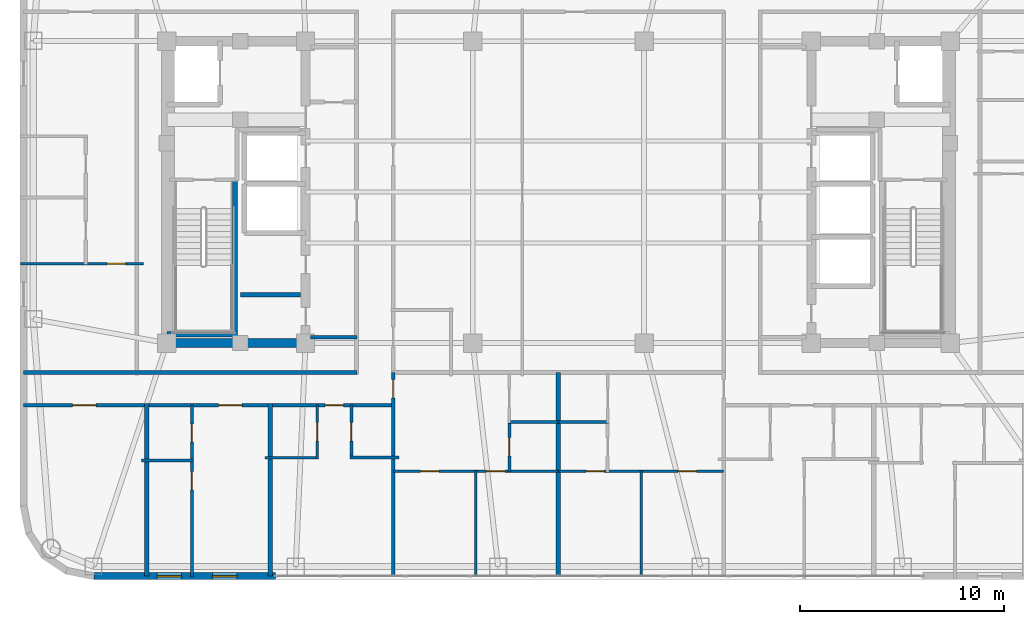
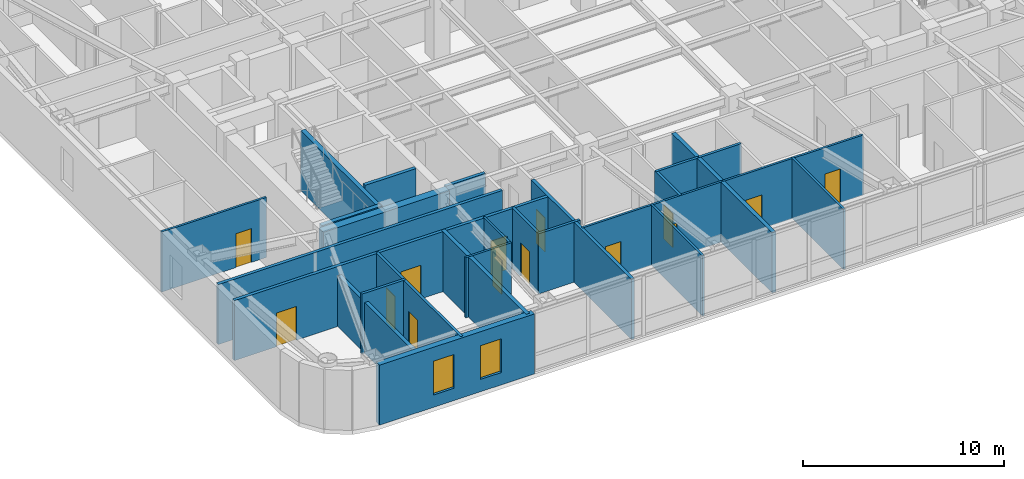
# One storey, part 8 of 17: 27 walls, 14 doors, 2 windows, 16 openings.
"""IFC4 building model written with IfcOpenShell, lengths in metres."""

from ifc_helpers import new_model, si_unit, direction, frame, frame_2d, origin, place, context, subcontext, project, spatial, rectangle, extrude, material, layer, layer_set, type_object, element, fill, save


model = new_model("IFC4")

# Units and contexts
model_context = context("Model", 3, precision=1e-05, world=origin(), true_north=direction((0.0, 1.0)))
body_context = subcontext(model_context, "Body", "Model", "MODEL_VIEW")
ifc_project = project(units=[si_unit("LENGTHUNIT", "METRE"), si_unit("AREAUNIT", "SQUARE_METRE"), si_unit("VOLUMEUNIT", "CUBIC_METRE"), si_unit("PLANEANGLEUNIT", "RADIAN"), si_unit("MASSUNIT", "GRAM", prefix="KILO")], contexts=[model_context])

# Site, building, storey
site_placement = place(None, origin())
site = spatial("IfcSite", under=ifc_project, at=site_placement, CompositionType="ELEMENT")
building_placement = place(site_placement, origin())
building = spatial("IfcBuilding", under=site, at=building_placement, Name="Voryun Gate Residences", CompositionType="ELEMENT")
storey_placement = place(building_placement, frame((0.0, 0.0, 204.10009765625)))
storey = spatial("IfcBuildingStorey", under=building, at=storey_placement, Name="L50", CompositionType="ELEMENT", Elevation=204.10009765625)

# Walls
ifc_material_1 = material(Name="Concrete C50/60", Category="concrete")
ifc_layer_1 = layer(ifc_material_1, 0.449951171875, Name="CW_CORE_450")
ifc_layer_set_1 = layer_set([ifc_layer_1], Name="Concrete C50/60")
wall_type_1 = type_object("IfcWallType", Name="CW_CORE_450", PredefinedType="SHEAR", material=ifc_layer_set_1)
wall_1_placement = place(storey_placement, frame((-19.425048828125, -7.39990234375, 0.0), z_axis=(0.0, 0.0, 1.0), x_axis=(1.0, 0.0, 0.0)))
element("IfcWall", 1, at=wall_1_placement, inside=storey, type_object=wall_type_1, Name="L50 Core shear wall CW-L50-WS", PredefinedType="SHEAR", context=body_context, shape_type="SweptSolid", body=[
    extrude(rectangle(XDim=7.25, YDim=0.449951171875, at=frame_2d((3.625, 0.0))), origin(), (0.0, 0.0, 1.0), 3.64990234375),
])
ifc_material_2 = material(Name="Gypsum acoustic fireboard")
ifc_layer_2 = layer(ifc_material_2, 0.179931640625, Name="W_CORR_RATED_180")
ifc_layer_set_2 = layer_set([ifc_layer_2], Name="Gypsum acoustic fireboard")
wall_type_2 = type_object("IfcWallType", Name="W_CORR_RATED_180", PredefinedType="PARTITIONING", material=ifc_layer_set_2)
wall_2_placement = place(storey_placement, frame((-12.14990234375, -7.1201171875, 0.0), z_axis=(0.0, 0.0, 1.0), x_axis=(1.0, 0.0, 0.0)))
element("IfcWall", 2, at=wall_2_placement, inside=storey, type_object=wall_type_2, Name="Partition wall WP-L50-PLBS-W", PredefinedType="PARTITIONING", context=body_context, shape_type="SweptSolid", body=[
    extrude(rectangle(XDim=2.27001953125, YDim=0.179931640625, at=frame_2d((1.135009765625, 0.0))), origin(), (0.0, 0.0, 1.0), 3.64990234375),
])
wall_3_placement = place(storey_placement, frame((-26.22998046875, -8.840087890625, 0.0), z_axis=(0.0, 0.0, 1.0), x_axis=(1.0, 0.0, 0.0)))
element("IfcWall", 3, at=wall_3_placement, inside=storey, type_object=wall_type_2, Name="Partition wall WP-L50-CWING-WS", PredefinedType="PARTITIONING", context=body_context, shape_type="SweptSolid", body=[
    extrude(rectangle(XDim=16.35009765625, YDim=0.179931640625, at=frame_2d((8.175048828125, 0.0))), origin(), (0.0, 0.0, 1.0), 3.64990234375),
])

# Wall, openings, doors
wall_4_placement = place(storey_placement, frame((-26.22998046875, -10.449951171875, 0.0), z_axis=(0.0, 0.0, 1.0), x_axis=(1.0, 0.0, 0.0)))
wall_4 = element("IfcWall", 4, at=wall_4_placement, inside=storey, type_object=wall_type_2, Name="Partition wall WP-L50-SCORR-W", PredefinedType="PARTITIONING", context=body_context, shape_type="SweptSolid", body=[
    extrude(rectangle(XDim=18.14990234375, YDim=0.179931640625, at=frame_2d((9.074951171875, 0.0))), origin(), (0.0, 0.0, 1.0), 3.64990234375),
])
opening_1_placement = place(wall_4_placement, frame((2.414306640625, 0.0, 0.0)))
opening_1 = element("IfcOpeningElement", 5, at=opening_1_placement, cuts=wall_4, Name="Opening D-UNIT-1", PredefinedType="OPENING", context=body_context, shape_type="SweptSolid", body=[
    extrude(rectangle(XDim=1.14990234375, YDim=2.050048828125, at=frame_2d((0.574951171875, 1.02490234375))), frame((0.0, 0.099853515625, 0.0), z_axis=(0.0, -1.0, 0.0), x_axis=(1.0, 0.0, 0.0)), (0.0, 0.0, 1.0), 0.199951171875),
])
opening_2_placement = place(wall_4_placement, frame((9.57080078125, 0.0, 0.0)))
opening_2 = element("IfcOpeningElement", 6, at=opening_2_placement, cuts=wall_4, Name="Opening D-UNIT-1", PredefinedType="OPENING", context=body_context, shape_type="SweptSolid", body=[
    extrude(rectangle(XDim=1.14990234375, YDim=2.050048828125, at=frame_2d((0.574951171875, 1.02490234375))), frame((0.0, 0.099853515625, 0.0), z_axis=(0.0, -1.0, 0.0), x_axis=(1.0, 0.0, 0.0)), (0.0, 0.0, 1.0), 0.199951171875),
])
opening_3_placement = place(wall_4_placement, frame((14.79248046875, 0.0, 0.0)))
opening_3 = element("IfcOpeningElement", 7, at=opening_3_placement, cuts=wall_4, Name="Opening D-INT-2", PredefinedType="OPENING", context=body_context, shape_type="SweptSolid", body=[
    extrude(rectangle(XDim=0.89990234375, YDim=2.050048828125, at=frame_2d((0.449951171875, 1.02490234375))), frame((0.0, 0.099853515625, 0.0), z_axis=(0.0, -1.0, 0.0), x_axis=(1.0, 0.0, 0.0)), (0.0, 0.0, 1.0), 0.199951171875),
])
ifc_material_3 = material(Name="Architectural oak veneer")
door_type_1 = type_object("IfcDoorType", Name="DR_INT_BATH_900", OperationType="NOTDEFINED", PredefinedType="DOOR", material=ifc_material_3)
door_1_placement = place(opening_3_placement, origin())
door_1 = element("IfcDoor", 8, at=door_1_placement, inside=storey, type_object=door_type_1, Name="Door DR-L50-SENT-3", OperationType="SINGLE_SWING_RIGHT", OverallHeight=2.050048828125, OverallWidth=0.89990234375, PredefinedType="DOOR", context=body_context, shape_type="SweptSolid", body=[
    extrude(rectangle(XDim=0.89990234375, YDim=2.050048828125, at=frame_2d((0.449951171875, 1.02490234375))), frame((0.0, 0.02490234375, 0.0), z_axis=(0.0, -1.0, 0.0), x_axis=(1.0, 0.0, 0.0)), (0.0, 0.0, 1.0), 0.050048828125),
])
fill(opening_3, door_1)
ifc_material_4 = material(Name="Armoured timber-clad fire door", Category="wood")
door_type_2 = type_object("IfcDoorType", Name="DR_UNIT_ENTRY_1150", OperationType="NOTDEFINED", PredefinedType="DOOR", material=ifc_material_4)
door_2_placement = place(opening_1_placement, origin())
door_2 = element("IfcDoor", 9, at=door_2_placement, inside=storey, type_object=door_type_2, Name="Door DR-L50-SENT-1", OperationType="SINGLE_SWING_RIGHT", OverallHeight=2.050048828125, OverallWidth=1.14990234375, PredefinedType="DOOR", context=body_context, shape_type="SweptSolid", body=[
    extrude(rectangle(XDim=1.14990234375, YDim=2.050048828125, at=frame_2d((0.574951171875, 1.02490234375))), frame((0.0, 0.02490234375, 0.0), z_axis=(0.0, -1.0, 0.0), x_axis=(1.0, 0.0, 0.0)), (0.0, 0.0, 1.0), 0.050048828125),
])
fill(opening_1, door_2)
door_3_placement = place(opening_2_placement, origin())
door_3 = element("IfcDoor", 10, at=door_3_placement, inside=storey, type_object=door_type_2, Name="Door DR-L50-SENT-2", OperationType="SINGLE_SWING_LEFT", OverallHeight=2.050048828125, OverallWidth=1.14990234375, PredefinedType="DOOR", context=body_context, shape_type="SweptSolid", body=[
    extrude(rectangle(XDim=1.14990234375, YDim=2.050048828125, at=frame_2d((0.574951171875, 1.02490234375))), frame((0.0, 0.02490234375, 0.0), z_axis=(0.0, -1.0, 0.0), x_axis=(1.0, 0.0, 0.0)), (0.0, 0.0, 1.0), 0.050048828125),
])
fill(opening_2, door_3)

# Wall, opening, door
wall_5_placement = place(storey_placement, frame((-8.10009765625, -18.830078125, 0.0), z_axis=(0.0, 0.0, 1.0), x_axis=(0.0, 1.0, 0.0)))
wall_5 = element("IfcWall", 11, at=wall_5_placement, inside=storey, type_object=wall_type_2, Name="Partition wall WP-L50-SZV-1", PredefinedType="PARTITIONING", context=body_context, shape_type="SweptSolid", body=[
    extrude(rectangle(XDim=9.989990234375, YDim=0.179931640625, at=frame_2d((4.9951171875, 0.0))), origin(), (0.0, 0.0, 1.0), 3.64990234375),
])
opening_4_placement = place(wall_5_placement, frame((8.73974609375, 0.0, 0.0)))
opening_4 = element("IfcOpeningElement", 12, at=opening_4_placement, cuts=wall_5, Name="Opening D-INT-2", PredefinedType="OPENING", context=body_context, shape_type="SweptSolid", body=[
    extrude(rectangle(XDim=0.89990234375, YDim=2.050048828125, at=frame_2d((0.449951171875, 1.02490234375))), frame((0.0, 0.099853515625, 0.0), z_axis=(0.0, -1.0, 0.0), x_axis=(1.0, 0.0, 0.0)), (0.0, 0.0, 1.0), 0.199951171875),
])
door_4_placement = place(opening_4_placement, origin())
door_4 = element("IfcDoor", 13, at=door_4_placement, inside=storey, type_object=door_type_1, Name="Door DR-L50-SZENT-1", OperationType="SINGLE_SWING_LEFT", OverallHeight=2.050048828125, OverallWidth=0.89990234375, PredefinedType="DOOR", context=body_context, shape_type="SweptSolid", body=[
    extrude(rectangle(XDim=0.89990234375, YDim=2.050048828125, at=frame_2d((0.449951171875, 1.02490234375))), frame((0.0, 0.02490234375, 0.0), z_axis=(0.0, -1.0, 0.0), x_axis=(1.0, 0.0, 0.0)), (0.0, 0.0, 1.0), 0.050048828125),
])
fill(opening_4, door_4)

# Wall, openings, windows
ifc_material_5 = material(Name="Charcoal terracotta masonry", Category="masonry")
ifc_layer_3 = layer(ifc_material_5, 0.340087890625, Name="W_EXT_TERRACOTTA_340")
ifc_layer_set_3 = layer_set([ifc_layer_3], Name="Charcoal terracotta masonry")
wall_type_3 = type_object("IfcWallType", Name="W_EXT_TERRACOTTA_340", PredefinedType="ELEMENTEDWALL", material=ifc_layer_set_3)
wall_6_placement = place(storey_placement, frame((-13.861328125, -18.830078125, 0.0), z_axis=(0.0, 0.0, 1.0), x_axis=(-1.0, 0.0, 0.0)))
wall_6 = element("IfcWall", 14, at=wall_6_placement, inside=storey, type_object=wall_type_3, Name="Exterior wall WEXT-L50-01B", PredefinedType="ELEMENTEDWALL", context=body_context, shape_type="SweptSolid", body=[
    extrude(rectangle(XDim=8.921875, YDim=0.340087890625, at=frame_2d((4.4609375, 0.0))), origin(), (0.0, 0.0, 1.0), 3.64990234375),
])
opening_5_placement = place(wall_6_placement, frame((1.90185546875, 0.0, 0.75)))
opening_5 = element("IfcOpeningElement", 15, at=opening_5_placement, cuts=wall_6, Name="Opening WN6", PredefinedType="OPENING", context=body_context, shape_type="SweptSolid", body=[
    extrude(rectangle(XDim=1.199951171875, YDim=2.050048828125, at=frame_2d((0.60009765625, 1.02490234375))), frame((0.0, 0.179931640625, 0.0), z_axis=(0.0, -1.0, 0.0), x_axis=(1.0, 0.0, 0.0)), (0.0, 0.0, 1.0), 0.360107421875),
])
opening_6_placement = place(wall_6_placement, frame((4.61865234375, 0.0, 0.75)))
opening_6 = element("IfcOpeningElement", 16, at=opening_6_placement, cuts=wall_6, Name="Opening WN6", PredefinedType="OPENING", context=body_context, shape_type="SweptSolid", body=[
    extrude(rectangle(XDim=1.199951171875, YDim=2.050048828125, at=frame_2d((0.60009765625, 1.02490234375))), frame((0.0, 0.179931640625, 0.0), z_axis=(0.0, -1.0, 0.0), x_axis=(1.0, 0.0, 0.0)), (0.0, 0.0, 1.0), 0.360107421875),
])
ifc_material_6 = material(Name="Laminated low-E glass", Category="glass")
window_type = type_object("IfcWindowType", Name="WN_POD_SLOT_1200", PartitioningType="SINGLE_PANEL", PredefinedType="WINDOW", material=ifc_material_6)
window_1_placement = place(opening_5_placement, origin())
window_1 = element("IfcWindow", 17, at=window_1_placement, inside=storey, type_object=window_type, Name="Window WN-L50-DWFIX-15", OverallHeight=2.050048828125, OverallWidth=1.199951171875, PartitioningType="SINGLE_PANEL", PredefinedType="WINDOW", context=body_context, shape_type="SweptSolid", body=[
    extrude(rectangle(XDim=1.199951171875, YDim=2.050048828125, at=frame_2d((0.60009765625, 1.02490234375))), frame((0.0, 0.030029296875, 0.0), z_axis=(0.0, -1.0, 0.0), x_axis=(1.0, 0.0, 0.0)), (0.0, 0.0, 1.0), 0.06005859375),
])
fill(opening_5, window_1)
window_2_placement = place(opening_6_placement, origin())
window_2 = element("IfcWindow", 18, at=window_2_placement, inside=storey, type_object=window_type, Name="Window WN-L50-DWFIX-16", OverallHeight=2.050048828125, OverallWidth=1.199951171875, PartitioningType="SINGLE_PANEL", PredefinedType="WINDOW", context=body_context, shape_type="SweptSolid", body=[
    extrude(rectangle(XDim=1.199951171875, YDim=2.050048828125, at=frame_2d((0.60009765625, 1.02490234375))), frame((0.0, 0.030029296875, 0.0), z_axis=(0.0, -1.0, 0.0), x_axis=(1.0, 0.0, 0.0)), (0.0, 0.0, 1.0), 0.06005859375),
])
fill(opening_6, window_2)

# Walls
ifc_material_7 = material(Name="Concrete C40/50", Category="concrete")
ifc_layer_4 = layer(ifc_material_7, 0.199951171875, Name="W_FF_LOBBY_200")
ifc_layer_set_4 = layer_set([ifc_layer_4], Name="Concrete C40/50")
wall_type_4 = type_object("IfcWallType", Name="W_FF_LOBBY_200", PredefinedType="PARTITIONING", material=ifc_layer_set_4)
wall_7_placement = place(storey_placement, frame((-15.60009765625, -5.030029296875, 0.0), z_axis=(0.0, 0.0, 1.0), x_axis=(1.0, 0.0, 0.0)))
element("IfcWall", 19, at=wall_7_placement, inside=storey, type_object=wall_type_4, Name="Partition wall WP-L50-RECWB", PredefinedType="PARTITIONING", context=body_context, shape_type="SweptSolid", body=[
    extrude(rectangle(XDim=2.940185546875, YDim=0.199951171875, at=frame_2d((1.47021484375, 0.0))), origin(), (0.0, 0.0, 1.0), 3.64990234375),
])
ifc_material_8 = material(Name="Concrete C40/50", Category="concrete")
ifc_layer_5 = layer(ifc_material_8, 0.219970703125, Name="W_PARTY_ACOUSTIC_220")
ifc_layer_set_5 = layer_set([ifc_layer_5], Name="Concrete C40/50")
wall_type_5 = type_object("IfcWallType", Name="W_PARTY_ACOUSTIC_220", PredefinedType="PARTITIONING", material=ifc_layer_set_5)
wall_8_placement = place(storey_placement, frame((-20.18505859375, -18.830078125, 0.0), z_axis=(0.0, 0.0, 1.0), x_axis=(0.0, 1.0, 0.0)))
element("IfcWall", 20, at=wall_8_placement, inside=storey, type_object=wall_type_5, Name="Partition wall WP-L50-SPTY-1", PredefinedType="PARTITIONING", context=body_context, shape_type="SweptSolid", body=[
    extrude(rectangle(XDim=8.4599609375, YDim=0.219970703125, at=frame_2d((4.22998046875, 0.0))), origin(), (0.0, 0.0, 1.0), 3.08984375),
])
wall_9_placement = place(storey_placement, frame((-14.132080078125, -18.830078125, 0.0), z_axis=(0.0, 0.0, 1.0), x_axis=(0.0, 1.0, 0.0)))
element("IfcWall", 21, at=wall_9_placement, inside=storey, type_object=wall_type_5, Name="Partition wall WP-L50-SPTY-2", PredefinedType="PARTITIONING", context=body_context, shape_type="SweptSolid", body=[
    extrude(rectangle(XDim=8.4599609375, YDim=0.219970703125, at=frame_2d((4.22998046875, 0.0))), origin(), (0.0, 0.0, 1.0), 3.64990234375),
])
wall_10_placement = place(storey_placement, frame((0.0, -18.830078125, 0.0), z_axis=(0.0, 0.0, 1.0), x_axis=(0.0, 1.0, 0.0)))
element("IfcWall", 22, at=wall_10_placement, inside=storey, type_object=wall_type_5, Name="Partition wall WP-L50-SZMID", PredefinedType="PARTITIONING", context=body_context, shape_type="SweptSolid", body=[
    extrude(rectangle(XDim=9.989990234375, YDim=0.219970703125, at=frame_2d((4.9951171875, 0.0))), origin(), (0.0, 0.0, 1.0), 3.64990234375),
])
ifc_material_9 = material(Name="Concrete C50/60", Category="concrete")
ifc_layer_6 = layer(ifc_material_9, 0.25, Name="W_SHAFT_RC250")
ifc_layer_set_6 = layer_set([ifc_layer_6], Name="Concrete C50/60")
wall_type_6 = type_object("IfcWallType", Name="W_SHAFT_RC250", PredefinedType="SOLIDWALL", material=ifc_layer_set_6)
wall_11_placement = place(storey_placement, frame((-15.860107421875, -7.0849609375, 0.0), z_axis=(0.0, 0.0, 1.0), x_axis=(0.0, 1.0, 0.0)))
element("IfcWall", 23, at=wall_11_placement, inside=storey, type_object=wall_type_6, Name="L50 Stair shaft structural wall W-STR", PredefinedType="SOLIDWALL", context=body_context, shape_type="SweptSolid", body=[
    extrude(rectangle(XDim=7.68505859375, YDim=0.25, at=frame_2d((3.842529296875, 0.0))), origin(), (0.0, 0.0, 1.0), 3.64990234375),
])
wall_12_placement = place(storey_placement, frame((-19.199951171875, -6.965087890625, 0.0), z_axis=(0.0, 0.0, 1.0), x_axis=(1.0, 0.0, 0.0)))
element("IfcWall", 24, at=wall_12_placement, inside=storey, type_object=wall_type_6, Name="L50 Stair shaft structural wall W-STS", PredefinedType="SOLIDWALL", context=body_context, shape_type="SweptSolid", body=[
    extrude(rectangle(XDim=3.4599609375, YDim=0.25, at=frame_2d((1.72998046875, 0.0))), origin(), (0.0, 0.0, 1.0), 3.64990234375),
])

# Wall, opening, door
ifc_material_10 = material(Name="Gypsum acoustic partition")
ifc_layer_7 = layer(ifc_material_10, 0.125, Name="W_UNIT_PART_125")
ifc_layer_set_7 = layer_set([ifc_layer_7], Name="Gypsum acoustic partition")
wall_type_7 = type_object("IfcWallType", Name="W_UNIT_PART_125", PredefinedType="PARTITIONING", material=ifc_layer_set_7)
wall_13_placement = place(storey_placement, frame((-11.818115234375, -13.080078125, 0.0), z_axis=(0.0, 0.0, 1.0), x_axis=(0.0, 1.0, 0.0)))
wall_13 = element("IfcWall", 25, at=wall_13_placement, inside=storey, type_object=wall_type_7, Name="Partition wall WP-L50-S3-CVK", PredefinedType="PARTITIONING", context=body_context, shape_type="SweptSolid", body=[
    extrude(rectangle(XDim=2.650146484375, YDim=0.125, at=frame_2d((1.3251953125, 0.0))), origin(), (0.0, 0.0, 1.0), 3.64990234375),
])
opening_7_placement = place(wall_13_placement, frame((0.875, 0.0, 0.0)))
opening_7 = element("IfcOpeningElement", 26, at=opening_7_placement, cuts=wall_13, Name="Opening D-INT-2", PredefinedType="OPENING", context=body_context, shape_type="SweptSolid", body=[
    extrude(rectangle(XDim=0.89990234375, YDim=2.050048828125, at=frame_2d((0.449951171875, 1.02490234375))), frame((0.0, 0.072509765625, 0.0), z_axis=(0.0, -1.0, 0.0), x_axis=(1.0, 0.0, 0.0)), (0.0, 0.0, 1.0), 0.14501953125),
])
door_5_placement = place(opening_7_placement, origin())
door_5 = element("IfcDoor", 27, at=door_5_placement, inside=storey, type_object=door_type_1, Name="Door DR-L50-S3-DK", OperationType="SINGLE_SWING_LEFT", OverallHeight=2.050048828125, OverallWidth=0.89990234375, PredefinedType="DOOR", context=body_context, shape_type="SweptSolid", body=[
    extrude(rectangle(XDim=0.89990234375, YDim=2.050048828125, at=frame_2d((0.449951171875, 1.02490234375))), frame((0.0, 0.02490234375, 0.0), z_axis=(0.0, -1.0, 0.0), x_axis=(1.0, 0.0, 0.0)), (0.0, 0.0, 1.0), 0.050048828125),
])
fill(opening_7, door_5)

# Wall
wall_14_placement = place(storey_placement, frame((-14.39208984375, -13.02001953125, 0.0), z_axis=(0.0, 0.0, 1.0), x_axis=(1.0, 0.0, 0.0)))
element("IfcWall", 28, at=wall_14_placement, inside=storey, type_object=wall_type_7, Name="Partition wall WP-L50-S3-CHK", PredefinedType="PARTITIONING", context=body_context, shape_type="SweptSolid", body=[
    extrude(rectangle(XDim=2.634033203125, YDim=0.125, at=frame_2d((1.31689453125, 0.0))), origin(), (0.0, 0.0, 1.0), 3.64990234375),
])

# Wall, openings, doors
wall_15_placement = place(storey_placement, frame((-8.080078125, -13.679931640625, 0.0), z_axis=(0.0, 0.0, 1.0), x_axis=(1.0, 0.0, 0.0)))
wall_15 = element("IfcWall", 29, at=wall_15_placement, inside=storey, type_object=wall_type_7, Name="Partition wall WP-L50-SC1-HZ", PredefinedType="PARTITIONING", context=body_context, shape_type="SweptSolid", body=[
    extrude(rectangle(XDim=8.06005859375, YDim=0.125, at=frame_2d((4.030029296875, 0.0))), origin(), (0.0, 0.0, 1.0), 3.64990234375),
])
opening_8_placement = place(wall_15_placement, frame((1.3232421875, 0.0, 0.0)))
opening_8 = element("IfcOpeningElement", 30, at=opening_8_placement, cuts=wall_15, Name="Opening D-INT-2", PredefinedType="OPENING", context=body_context, shape_type="SweptSolid", body=[
    extrude(rectangle(XDim=0.89990234375, YDim=2.050048828125, at=frame_2d((0.449951171875, 1.02490234375))), frame((0.0, 0.072509765625, 0.0), z_axis=(0.0, -1.0, 0.0), x_axis=(1.0, 0.0, 0.0)), (0.0, 0.0, 1.0), 0.14501953125),
])
opening_9_placement = place(wall_15_placement, frame((4.547119140625, 0.0, 0.0)))
opening_9 = element("IfcOpeningElement", 31, at=opening_9_placement, cuts=wall_15, Name="Opening D-INT-2", PredefinedType="OPENING", context=body_context, shape_type="SweptSolid", body=[
    extrude(rectangle(XDim=0.89990234375, YDim=2.050048828125, at=frame_2d((0.449951171875, 1.02490234375))), frame((0.0, 0.072509765625, 0.0), z_axis=(0.0, -1.0, 0.0), x_axis=(1.0, 0.0, 0.0)), (0.0, 0.0, 1.0), 0.14501953125),
])
door_6_placement = place(opening_8_placement, origin())
door_6 = element("IfcDoor", 32, at=door_6_placement, inside=storey, type_object=door_type_1, Name="Door DR-L50-SC1-DMB", OperationType="SINGLE_SWING_LEFT", OverallHeight=2.050048828125, OverallWidth=0.89990234375, PredefinedType="DOOR", context=body_context, shape_type="SweptSolid", body=[
    extrude(rectangle(XDim=0.89990234375, YDim=2.050048828125, at=frame_2d((0.449951171875, 1.02490234375))), frame((0.0, 0.02490234375, 0.0), z_axis=(0.0, -1.0, 0.0), x_axis=(1.0, 0.0, 0.0)), (0.0, 0.0, 1.0), 0.050048828125),
])
fill(opening_8, door_6)
door_7_placement = place(opening_9_placement, origin())
door_7 = element("IfcDoor", 33, at=door_7_placement, inside=storey, type_object=door_type_1, Name="Door DR-L50-SC1-DBD2", OperationType="SINGLE_SWING_RIGHT", OverallHeight=2.050048828125, OverallWidth=0.89990234375, PredefinedType="DOOR", context=body_context, shape_type="SweptSolid", body=[
    extrude(rectangle(XDim=0.89990234375, YDim=2.050048828125, at=frame_2d((0.449951171875, 1.02490234375))), frame((0.0, 0.02490234375, 0.0), z_axis=(0.0, -1.0, 0.0), x_axis=(1.0, 0.0, 0.0)), (0.0, 0.0, 1.0), 0.050048828125),
])
fill(opening_9, door_7)

# Wall
wall_16_placement = place(storey_placement, frame((-4.050048828125, -18.830078125, 0.0), z_axis=(0.0, 0.0, 1.0), x_axis=(0.0, 1.0, 0.0)))
element("IfcWall", 34, at=wall_16_placement, inside=storey, type_object=wall_type_7, Name="Partition wall WP-L50-SC1-VBD", PredefinedType="PARTITIONING", context=body_context, shape_type="SweptSolid", body=[
    extrude(rectangle(XDim=5.190185546875, YDim=0.125, at=frame_2d((2.59521484375, 0.0))), origin(), (0.0, 0.0, 1.0), 3.64990234375),
])

# Wall, openings, doors
wall_17_placement = place(storey_placement, frame((0.02001953125, -13.679931640625, 0.0), z_axis=(0.0, 0.0, 1.0), x_axis=(1.0, 0.0, 0.0)))
wall_17 = element("IfcWall", 35, at=wall_17_placement, inside=storey, type_object=wall_type_7, Name="Partition wall WP-L50-SC2-HZ", PredefinedType="PARTITIONING", context=body_context, shape_type="SweptSolid", body=[
    extrude(rectangle(XDim=8.06005859375, YDim=0.125, at=frame_2d((4.030029296875, 0.0))), origin(), (0.0, 0.0, 1.0), 3.64990234375),
])
opening_10_placement = place(wall_17_placement, frame((1.3232421875, 0.0, 0.0)))
opening_10 = element("IfcOpeningElement", 36, at=opening_10_placement, cuts=wall_17, Name="Opening D-INT-2", PredefinedType="OPENING", context=body_context, shape_type="SweptSolid", body=[
    extrude(rectangle(XDim=0.89990234375, YDim=2.050048828125, at=frame_2d((0.449951171875, 1.02490234375))), frame((0.0, 0.072509765625, 0.0), z_axis=(0.0, -1.0, 0.0), x_axis=(1.0, 0.0, 0.0)), (0.0, 0.0, 1.0), 0.14501953125),
])
opening_11_placement = place(wall_17_placement, frame((5.8369140625, 0.0, 0.0)))
opening_11 = element("IfcOpeningElement", 37, at=opening_11_placement, cuts=wall_17, Name="Opening D-INT-2", PredefinedType="OPENING", context=body_context, shape_type="SweptSolid", body=[
    extrude(rectangle(XDim=0.89990234375, YDim=2.050048828125, at=frame_2d((0.449951171875, 1.02490234375))), frame((0.0, 0.072509765625, 0.0), z_axis=(0.0, -1.0, 0.0), x_axis=(1.0, 0.0, 0.0)), (0.0, 0.0, 1.0), 0.14501953125),
])
door_8_placement = place(opening_10_placement, origin())
door_8 = element("IfcDoor", 38, at=door_8_placement, inside=storey, type_object=door_type_1, Name="Door DR-L50-SC2-DMB", OperationType="SINGLE_SWING_LEFT", OverallHeight=2.050048828125, OverallWidth=0.89990234375, PredefinedType="DOOR", context=body_context, shape_type="SweptSolid", body=[
    extrude(rectangle(XDim=0.89990234375, YDim=2.050048828125, at=frame_2d((0.449951171875, 1.02490234375))), frame((0.0, 0.02490234375, 0.0), z_axis=(0.0, -1.0, 0.0), x_axis=(1.0, 0.0, 0.0)), (0.0, 0.0, 1.0), 0.050048828125),
])
fill(opening_10, door_8)
door_9_placement = place(opening_11_placement, origin())
door_9 = element("IfcDoor", 39, at=door_9_placement, inside=storey, type_object=door_type_1, Name="Door DR-L50-SC2-DBD2", OperationType="SINGLE_SWING_RIGHT", OverallHeight=2.050048828125, OverallWidth=0.89990234375, PredefinedType="DOOR", context=body_context, shape_type="SweptSolid", body=[
    extrude(rectangle(XDim=0.89990234375, YDim=2.050048828125, at=frame_2d((0.449951171875, 1.02490234375))), frame((0.0, 0.02490234375, 0.0), z_axis=(0.0, -1.0, 0.0), x_axis=(1.0, 0.0, 0.0)), (0.0, 0.0, 1.0), 0.050048828125),
])
fill(opening_11, door_9)

# Wall
wall_18_placement = place(storey_placement, frame((4.050048828125, -18.830078125, 0.0), z_axis=(0.0, 0.0, 1.0), x_axis=(0.0, 1.0, 0.0)))
element("IfcWall", 40, at=wall_18_placement, inside=storey, type_object=wall_type_7, Name="Partition wall WP-L50-SC2-VBD", PredefinedType="PARTITIONING", context=body_context, shape_type="SweptSolid", body=[
    extrude(rectangle(XDim=5.190185546875, YDim=0.125, at=frame_2d((2.59521484375, 0.0))), origin(), (0.0, 0.0, 1.0), 3.64990234375),
])

# Wall, opening, door
wall_19_placement = place(storey_placement, frame((-26.3798828125, -3.510009765625, 0.0), z_axis=(0.0, 0.0, 1.0), x_axis=(1.0, 0.0, 0.0)))
wall_19 = element("IfcWall", 41, at=wall_19_placement, inside=storey, type_object=wall_type_7, Name="Partition wall WP-L50-W1-HZ3", PredefinedType="PARTITIONING", context=body_context, shape_type="SweptSolid", body=[
    extrude(rectangle(XDim=6.02978515625, YDim=0.125, at=frame_2d((3.014892578125, 0.0))), origin(), (0.0, 0.0, 1.0), 3.64990234375),
])
opening_12_placement = place(wall_19_placement, frame((4.25341796875, 0.0, 0.0)))
opening_12 = element("IfcOpeningElement", 42, at=opening_12_placement, cuts=wall_19, Name="Opening D-INT-2", PredefinedType="OPENING", context=body_context, shape_type="SweptSolid", body=[
    extrude(rectangle(XDim=0.89990234375, YDim=2.050048828125, at=frame_2d((0.449951171875, 1.02490234375))), frame((0.0, 0.072509765625, 0.0), z_axis=(0.0, -1.0, 0.0), x_axis=(1.0, 0.0, 0.0)), (0.0, 0.0, 1.0), 0.14501953125),
])
door_10_placement = place(opening_12_placement, origin())
door_10 = element("IfcDoor", 43, at=door_10_placement, inside=storey, type_object=door_type_1, Name="Door DR-L50-W1-DMB", OperationType="SINGLE_SWING_LEFT", OverallHeight=2.050048828125, OverallWidth=0.89990234375, PredefinedType="DOOR", context=body_context, shape_type="SweptSolid", body=[
    extrude(rectangle(XDim=0.89990234375, YDim=2.050048828125, at=frame_2d((0.449951171875, 1.02490234375))), frame((0.0, 0.02490234375, 0.0), z_axis=(0.0, -1.0, 0.0), x_axis=(1.0, 0.0, 0.0)), (0.0, 0.0, 1.0), 0.050048828125),
])
fill(opening_12, door_10)

# Wall
ifc_material_11 = material(Name="Gypsum moisture-resistant partition")
ifc_layer_8 = layer(ifc_material_11, 0.14990234375, Name="W_WET_PLUMB_150")
ifc_layer_set_8 = layer_set([ifc_layer_8], Name="Gypsum moisture-resistant partition")
wall_type_8 = type_object("IfcWallType", Name="W_WET_PLUMB_150", PredefinedType="PLUMBINGWALL", material=ifc_layer_set_8)
wall_20_placement = place(storey_placement, frame((-20.445068359375, -13.14990234375, 0.0), z_axis=(0.0, 0.0, 1.0), x_axis=(1.0, 0.0, 0.0)))
element("IfcWall", 44, at=wall_20_placement, inside=storey, type_object=wall_type_8, Name="Partition wall WP-L50-S2-SKB", PredefinedType="PLUMBINGWALL", context=body_context, shape_type="SweptSolid", body=[
    extrude(rectangle(XDim=2.550048828125, YDim=0.14990234375, at=frame_2d((1.27490234375, 0.0))), origin(), (0.0, 0.0, 1.0), 3.64990234375),
])

# Wall, opening, door
wall_21_placement = place(storey_placement, frame((-17.97509765625, -18.876708984375, 0.0), z_axis=(0.0, 0.0, 1.0), x_axis=(0.0, 1.0, 0.0)))
wall_21 = element("IfcWall", 45, at=wall_21_placement, inside=storey, type_object=wall_type_8, Name="Partition wall WP-L50-S2-SVT1", PredefinedType="PLUMBINGWALL", context=body_context, shape_type="SweptSolid", body=[
    extrude(rectangle(XDim=5.7666015625, YDim=0.14990234375, at=frame_2d((2.88330078125, 0.0))), origin(), (0.0, 0.0, 1.0), 3.64990234375),
])
opening_13_placement = place(wall_21_placement, frame((4.27880859375, 0.0, 0.0)))
opening_13 = element("IfcOpeningElement", 46, at=opening_13_placement, cuts=wall_21, Name="Opening D-INT-2", PredefinedType="OPENING", context=body_context, shape_type="SweptSolid", body=[
    extrude(rectangle(XDim=0.89990234375, YDim=2.050048828125, at=frame_2d((0.449951171875, 1.02490234375))), frame((0.0, 0.0849609375, 0.0), z_axis=(0.0, -1.0, 0.0), x_axis=(1.0, 0.0, 0.0)), (0.0, 0.0, 1.0), 0.169921875),
])
door_11_placement = place(opening_13_placement, origin())
door_11 = element("IfcDoor", 47, at=door_11_placement, inside=storey, type_object=door_type_1, Name="Door DR-L50-S2-DK", OperationType="SINGLE_SWING_LEFT", OverallHeight=2.050048828125, OverallWidth=0.89990234375, PredefinedType="DOOR", context=body_context, shape_type="SweptSolid", body=[
    extrude(rectangle(XDim=0.89990234375, YDim=2.050048828125, at=frame_2d((0.449951171875, 1.02490234375))), frame((0.0, 0.02490234375, 0.0), z_axis=(0.0, -1.0, 0.0), x_axis=(1.0, 0.0, 0.0)), (0.0, 0.0, 1.0), 0.050048828125),
])
fill(opening_13, door_11)

wall_22_placement = place(storey_placement, frame((-17.97509765625, -13.18994140625, 0.0), z_axis=(0.0, 0.0, 1.0), x_axis=(0.0, 1.0, 0.0)))
wall_22 = element("IfcWall", 48, at=wall_22_placement, inside=storey, type_object=wall_type_8, Name="Partition wall WP-L50-S2-SVT2", PredefinedType="PLUMBINGWALL", context=body_context, shape_type="SweptSolid", body=[
    extrude(rectangle(XDim=2.760009765625, YDim=0.14990234375, at=frame_2d((1.3798828125, 0.0))), origin(), (0.0, 0.0, 1.0), 3.64990234375),
])
opening_14_placement = place(wall_22_placement, frame((0.929931640625, 0.0, 0.0)))
opening_14 = element("IfcOpeningElement", 49, at=opening_14_placement, cuts=wall_22, Name="Opening D-INT-2", PredefinedType="OPENING", context=body_context, shape_type="SweptSolid", body=[
    extrude(rectangle(XDim=0.89990234375, YDim=2.050048828125, at=frame_2d((0.449951171875, 1.02490234375))), frame((0.0, 0.0849609375, 0.0), z_axis=(0.0, -1.0, 0.0), x_axis=(1.0, 0.0, 0.0)), (0.0, 0.0, 1.0), 0.169921875),
])
door_12_placement = place(opening_14_placement, origin())
door_12 = element("IfcDoor", 50, at=door_12_placement, inside=storey, type_object=door_type_1, Name="Door DR-L50-S2-DB", OperationType="SINGLE_SWING_RIGHT", OverallHeight=2.050048828125, OverallWidth=0.89990234375, PredefinedType="DOOR", context=body_context, shape_type="SweptSolid", body=[
    extrude(rectangle(XDim=0.89990234375, YDim=2.050048828125, at=frame_2d((0.449951171875, 1.02490234375))), frame((0.0, 0.02490234375, 0.0), z_axis=(0.0, -1.0, 0.0), x_axis=(1.0, 0.0, 0.0)), (0.0, 0.0, 1.0), 0.050048828125),
])
fill(opening_14, door_12)

wall_23_placement = place(storey_placement, frame((-10.156982421875, -13.080078125, 0.0), z_axis=(0.0, 0.0, 1.0), x_axis=(0.0, 1.0, 0.0)))
wall_23 = element("IfcWall", 51, at=wall_23_placement, inside=storey, type_object=wall_type_8, Name="Partition wall WP-L50-S3-CVB", PredefinedType="PLUMBINGWALL", context=body_context, shape_type="SweptSolid", body=[
    extrude(rectangle(XDim=2.650146484375, YDim=0.14990234375, at=frame_2d((1.3251953125, 0.0))), origin(), (0.0, 0.0, 1.0), 3.64990234375),
])
opening_15_placement = place(wall_23_placement, frame((0.875, 0.0, 0.0)))
opening_15 = element("IfcOpeningElement", 52, at=opening_15_placement, cuts=wall_23, Name="Opening D-INT-2", PredefinedType="OPENING", context=body_context, shape_type="SweptSolid", body=[
    extrude(rectangle(XDim=0.89990234375, YDim=2.050048828125, at=frame_2d((0.449951171875, 1.02490234375))), frame((0.0, 0.0849609375, 0.0), z_axis=(0.0, -1.0, 0.0), x_axis=(1.0, 0.0, 0.0)), (0.0, 0.0, 1.0), 0.169921875),
])
door_13_placement = place(opening_15_placement, origin())
door_13 = element("IfcDoor", 53, at=door_13_placement, inside=storey, type_object=door_type_1, Name="Door DR-L50-S3-DB", OperationType="SINGLE_SWING_RIGHT", OverallHeight=2.050048828125, OverallWidth=0.89990234375, PredefinedType="DOOR", context=body_context, shape_type="SweptSolid", body=[
    extrude(rectangle(XDim=0.89990234375, YDim=2.050048828125, at=frame_2d((0.449951171875, 1.02490234375))), frame((0.0, 0.02490234375, 0.0), z_axis=(0.0, -1.0, 0.0), x_axis=(1.0, 0.0, 0.0)), (0.0, 0.0, 1.0), 0.050048828125),
])
fill(opening_15, door_13)

# Wall
wall_24_placement = place(storey_placement, frame((-10.217041015625, -13.02001953125, 0.0), z_axis=(0.0, 0.0, 1.0), x_axis=(1.0, 0.0, 0.0)))
element("IfcWall", 54, at=wall_24_placement, inside=storey, type_object=wall_type_8, Name="Partition wall WP-L50-S3-CHB", PredefinedType="PLUMBINGWALL", context=body_context, shape_type="SweptSolid", body=[
    extrude(rectangle(XDim=2.39697265625, YDim=0.14990234375, at=frame_2d((1.198486328125, 0.0))), origin(), (0.0, 0.0, 1.0), 3.64990234375),
])

# Wall, opening, door
wall_25_placement = place(storey_placement, frame((-2.409912109375, -13.719970703125, 0.0), z_axis=(0.0, 0.0, 1.0), x_axis=(0.0, 1.0, 0.0)))
wall_25 = element("IfcWall", 55, at=wall_25_placement, inside=storey, type_object=wall_type_8, Name="Partition wall WP-L50-SC1-VK2", PredefinedType="PLUMBINGWALL", context=body_context, shape_type="SweptSolid", body=[
    extrude(rectangle(XDim=2.469970703125, YDim=0.14990234375, at=frame_2d((1.23486328125, 0.0))), origin(), (0.0, 0.0, 1.0), 3.64990234375),
])
opening_16_placement = place(wall_25_placement, frame((0.784912109375, 0.0, 0.0)))
opening_16 = element("IfcOpeningElement", 56, at=opening_16_placement, cuts=wall_25, Name="Opening D-INT-2", PredefinedType="OPENING", context=body_context, shape_type="SweptSolid", body=[
    extrude(rectangle(XDim=0.89990234375, YDim=2.050048828125, at=frame_2d((0.449951171875, 1.02490234375))), frame((0.0, 0.0849609375, 0.0), z_axis=(0.0, -1.0, 0.0), x_axis=(1.0, 0.0, 0.0)), (0.0, 0.0, 1.0), 0.169921875),
])
door_14_placement = place(opening_16_placement, origin())
door_14 = element("IfcDoor", 57, at=door_14_placement, inside=storey, type_object=door_type_1, Name="Door DR-L50-SC1-DB", OperationType="SINGLE_SWING_RIGHT", OverallHeight=2.050048828125, OverallWidth=0.89990234375, PredefinedType="DOOR", context=body_context, shape_type="SweptSolid", body=[
    extrude(rectangle(XDim=0.89990234375, YDim=2.050048828125, at=frame_2d((0.449951171875, 1.02490234375))), frame((0.0, 0.02490234375, 0.0), z_axis=(0.0, -1.0, 0.0), x_axis=(1.0, 0.0, 0.0)), (0.0, 0.0, 1.0), 0.050048828125),
])
fill(opening_16, door_14)

# Walls
for number, where, z_axis, x_axis, name in (
    (58, (-2.449951171875, -11.280029296875, 0.0), (0.0, 0.0, 1.0), (1.0, 0.0, 0.0), "Partition wall WP-L50-SC1-HKB"),
    (59, (0.02001953125, -11.280029296875, 0.0), (0.0, 0.0, 1.0), (1.0, 0.0, 0.0), "Partition wall WP-L50-SC2-HKB"),
):
    element("IfcWall", number, at=place(storey_placement, frame(where, z_axis=z_axis, x_axis=x_axis)), inside=storey, type_object=wall_type_8, Name=name, PredefinedType="PLUMBINGWALL", context=body_context, shape_type="SweptSolid", body=[
        extrude(rectangle(XDim=2.429931640625, YDim=0.14990234375, at=frame_2d((1.21484375, 0.0))), origin(), (0.0, 0.0, 1.0), 3.64990234375),
    ])

save(model, "model.ifc")
